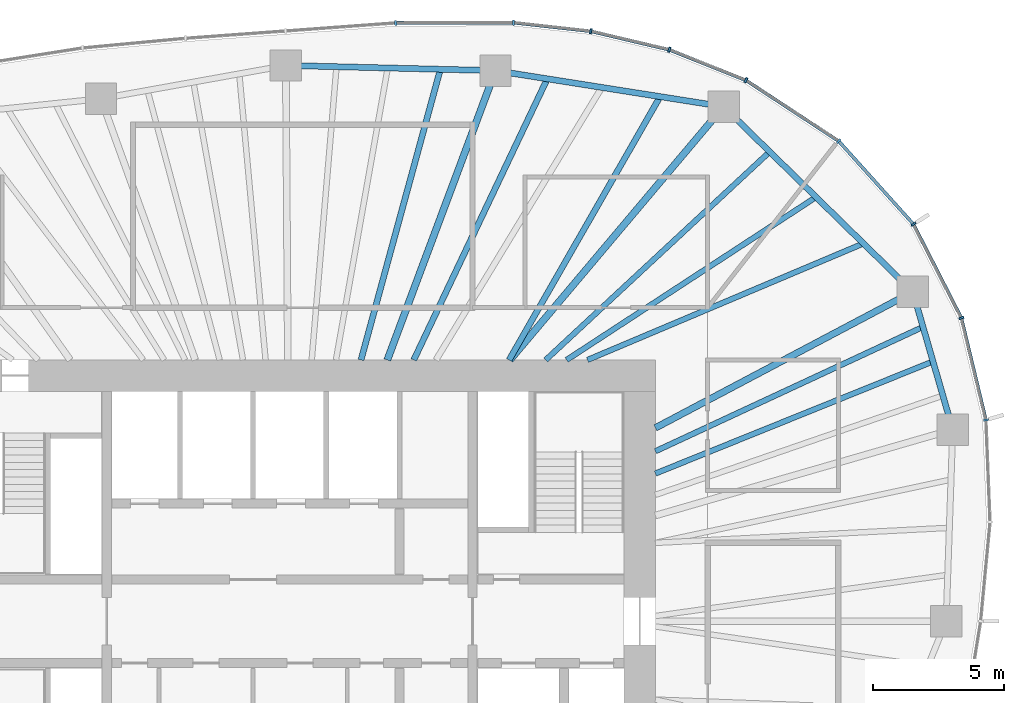
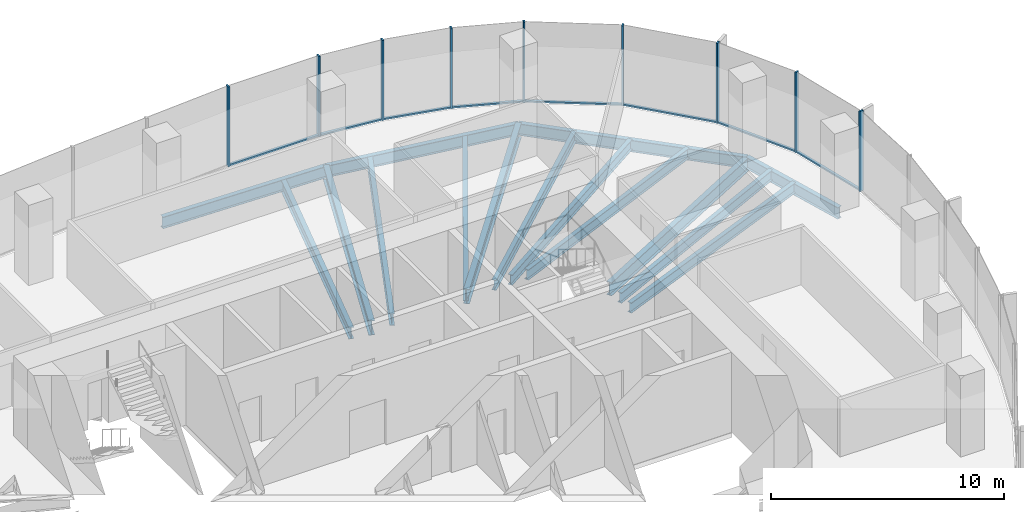
# One storey, part 6 of 11: 17 members, 15 beams, 4 elements without a shape of their own.
"""IFC4 building model written with IfcOpenShell, lengths in metres."""

from ifc_helpers import new_model, si_unit, direction, frame, origin, origin_2d, place, context, subcontext, project, spatial, rectangle, i_section, extrude, material, material_profile, profile_set, type_object, element, aggregate, save


model = new_model("IFC4")

# Units and contexts
model_context = context("Model", 3, precision=1e-05, world=origin(), true_north=direction((0.0, 1.0)))
body_context = subcontext(model_context, "Body", "Model", "MODEL_VIEW")
ifc_project = project(units=[si_unit("LENGTHUNIT", "METRE"), si_unit("AREAUNIT", "SQUARE_METRE"), si_unit("VOLUMEUNIT", "CUBIC_METRE"), si_unit("PLANEANGLEUNIT", "RADIAN"), si_unit("MASSUNIT", "GRAM", prefix="KILO")], contexts=[model_context])

# Site, building, storey
site_placement = place(None, origin())
site = spatial("IfcSite", under=ifc_project, at=site_placement, CompositionType="ELEMENT")
building_placement = place(site_placement, origin())
building = spatial("IfcBuilding", under=site, at=building_placement, Name="Ghaith Harvest Tower", CompositionType="ELEMENT")
storey_placement = place(building_placement, frame((0.0, 0.0, 257.800048828125)))
storey = spatial("IfcBuildingStorey", under=building, at=storey_placement, Name="L57", CompositionType="ELEMENT", Elevation=257.800048828125)

# Curtain wall, members
ifc_material_1 = material(Name="Black anodised aluminium and fritted glass", Category="aluminium")
curtain_wall_type = type_object("IfcCurtainWallType", Name="CW-H CURTAIN WALL", PredefinedType="NOTDEFINED", material=ifc_material_1)
curtain_wall_1_placement = place(storey_placement, origin())
curtain_wall_1 = element("IfcCurtainWall", 1, at=curtain_wall_1_placement, inside=storey, type_object=curtain_wall_type, Name="Curtain wall CW-H bay 02 L57", PredefinedType="NOTDEFINED")
ifc_material_2 = material(Name="Aluminium, black anodised", Category="aluminium")
ifc_material_profile_1 = material_profile(ifc_material_2, rectangle(XDim=0.080078125, YDim=0.199951171875, at=origin_2d()), Name="CW-H MULLION 80x200")
ifc_profile_set_1 = profile_set([ifc_material_profile_1], Name="Aluminium, black anodised")
member_type_1 = type_object("IfcMemberType", Name="CW-H MULLION 80x200", PredefinedType="MULLION", material=ifc_profile_set_1)
member_1_placement = place(storey_placement, frame((26.646484375, 7.701416015625, 0.0), z_axis=(0.0, 0.0, 1.0), x_axis=(-0.139146256981, 0.990271841046, 0.0)))
member_1 = element("IfcMember", 2, at=member_1_placement, type_object=member_type_1, Name="CW-H mullion 1 bay 02 L57", PredefinedType="MULLION", context=body_context, shape_type="SweptSolid", body=[
    extrude(rectangle(XDim=0.080078125, YDim=0.199951171875, at=origin_2d()), origin(), (0.0, 0.0, 1.0), 4.199951171875),
])
member_2_placement = place(storey_placement, frame((25.707275390625, 11.60546875, 0.0), z_axis=(0.0, 0.0, 1.0), x_axis=(-0.347012123561, 0.93786064322, 0.0)))
member_2 = element("IfcMember", 3, at=member_2_placement, type_object=member_type_1, Name="CW-H mullion 2 bay 02 L57", PredefinedType="MULLION", context=body_context, shape_type="SweptSolid", body=[
    extrude(rectangle(XDim=0.080078125, YDim=0.199951171875, at=origin_2d()), origin(), (0.0, 0.0, 1.0), 4.199951171875),
])

curtain_wall_2_placement = place(storey_placement, origin())
curtain_wall_2 = element("IfcCurtainWall", 4, at=curtain_wall_2_placement, inside=storey, type_object=curtain_wall_type, Name="Curtain wall CW-H bay 03 L57", PredefinedType="NOTDEFINED")
member_3_placement = place(storey_placement, frame((23.874267578125, 15.19384765625, 0.0), z_axis=(0.0, 0.0, 1.0), x_axis=(-0.569847382909, 0.821750546207, 0.0)))
member_3 = element("IfcMember", 5, at=member_3_placement, type_object=member_type_1, Name="CW-H mullion 1 bay 03 L57", PredefinedType="MULLION", context=body_context, shape_type="SweptSolid", body=[
    extrude(rectangle(XDim=0.080078125, YDim=0.199951171875, at=origin_2d()), origin(), (0.0, 0.0, 1.0), 4.199951171875),
])
member_4_placement = place(storey_placement, frame((21.013427734375, 18.374267578125, 0.0), z_axis=(0.0, 0.0, 1.0), x_axis=(-0.758541332755, 0.651624927778, 0.0)))
member_4 = element("IfcMember", 6, at=member_4_placement, type_object=member_type_1, Name="CW-H mullion 2 bay 03 L57", PredefinedType="MULLION", context=body_context, shape_type="SweptSolid", body=[
    extrude(rectangle(XDim=0.080078125, YDim=0.199951171875, at=origin_2d()), origin(), (0.0, 0.0, 1.0), 4.199951171875),
])

curtain_wall_3_placement = place(storey_placement, origin())
curtain_wall_3 = element("IfcCurtainWall", 7, at=curtain_wall_3_placement, inside=storey, type_object=curtain_wall_type, Name="Curtain wall CW-H bay 04 L57", PredefinedType="NOTDEFINED")
member_5_placement = place(storey_placement, frame((17.45947265625, 20.704345703125, 0.0), z_axis=(0.0, 0.0, 1.0), x_axis=(-0.880203412003, 0.474596621878, 0.0)))
member_5 = element("IfcMember", 8, at=member_5_placement, type_object=member_type_1, Name="CW-H mullion 1 bay 04 L57", PredefinedType="MULLION", context=body_context, shape_type="SweptSolid", body=[
    extrude(rectangle(XDim=0.080078125, YDim=0.199951171875, at=origin_2d()), origin(), (0.0, 0.0, 1.0), 4.199951171875),
])
member_6_placement = place(storey_placement, frame((14.52734375, 21.871337890625, 0.0), z_axis=(0.0, 0.0, 1.0), x_axis=(-0.953502908871, 0.30138381306, 0.0)))
member_6 = element("IfcMember", 9, at=member_6_placement, type_object=member_type_1, Name="CW-H mullion 2 bay 04 L57", PredefinedType="MULLION", context=body_context, shape_type="SweptSolid", body=[
    extrude(rectangle(XDim=0.080078125, YDim=0.199951171875, at=origin_2d()), origin(), (0.0, 0.0, 1.0), 4.199951171875),
])
member_7_placement = place(storey_placement, frame((11.527099609375, 22.579345703125, 0.0), z_axis=(0.0, 0.0, 1.0), x_axis=(-0.985193373388, 0.171446834417, 0.0)))
member_7 = element("IfcMember", 10, at=member_7_placement, type_object=member_type_1, Name="CW-H mullion 3 bay 04 L57", PredefinedType="MULLION", context=body_context, shape_type="SweptSolid", body=[
    extrude(rectangle(XDim=0.080078125, YDim=0.199951171875, at=origin_2d()), origin(), (0.0, 0.0, 1.0), 4.199951171875),
])

curtain_wall_4_placement = place(storey_placement, origin())
curtain_wall_4 = element("IfcCurtainWall", 11, at=curtain_wall_4_placement, inside=storey, type_object=curtain_wall_type, Name="Curtain wall CW-H bay 05 L57", PredefinedType="NOTDEFINED")
member_8_placement = place(storey_placement, frame((8.564208984375, 22.9091796875, 0.0), z_axis=(0.0, 0.0, 1.0), x_axis=(-0.999083519493, 0.042803283493, 0.0)))
member_8 = element("IfcMember", 12, at=member_8_placement, type_object=member_type_1, Name="CW-H mullion 1 bay 05 L57", PredefinedType="MULLION", context=body_context, shape_type="SweptSolid", body=[
    extrude(rectangle(XDim=0.080078125, YDim=0.199951171875, at=origin_2d()), origin(), (0.0, 0.0, 1.0), 4.199951171875),
])
member_9_placement = place(storey_placement, frame((4.0595703125, 22.8994140625, 0.0), z_axis=(0.0, 0.0, 1.0), x_axis=(-0.999332779724, -0.036523901335, 0.0)))
member_9 = element("IfcMember", 13, at=member_9_placement, type_object=member_type_1, Name="CW-H mullion 2 bay 05 L57", PredefinedType="MULLION", context=body_context, shape_type="SweptSolid", body=[
    extrude(rectangle(XDim=0.080078125, YDim=0.199951171875, at=origin_2d()), origin(), (0.0, 0.0, 1.0), 4.199951171875),
])

# Member
ifc_material_3 = material(Name="Aluminium, black anodised", Category="aluminium")
ifc_material_profile_2 = material_profile(ifc_material_3, rectangle(XDim=0.1298828125, YDim=0.080078125, at=origin_2d()), Name="CW-H TRANSOM 130x80")
ifc_profile_set_2 = profile_set([ifc_material_profile_2], Name="Aluminium, black anodised")
member_type_2 = type_object("IfcMemberType", Name="CW-H TRANSOM 130x80", PredefinedType="USERDEFINED", material=ifc_profile_set_2)
member_10_placement = place(storey_placement, frame((26.636962890625, 7.740234375, 0.0400390625), z_axis=(-0.233870324689, 0.972267798104, 0.0), x_axis=(-0.972267798104, -0.233870324689, 0.0)))
member_10 = element("IfcMember", 14, at=member_10_placement, type_object=member_type_2, Name="CW-H transom 1 bay 02 L57", ObjectType="TRANSOM", PredefinedType="USERDEFINED", context=body_context, shape_type="SweptSolid", body=[
    extrude(rectangle(XDim=0.1298828125, YDim=0.080078125, at=origin_2d()), origin(), (0.0, 0.0, 1.0), 3.935546875),
])

member_11_placement = place(storey_placement, frame((25.68896484375, 11.64111328125, 0.0400390625), z_axis=(-0.454911728312, 0.890536534592, 0.0), x_axis=(-0.890536534592, -0.454911728312, 0.0)))
member_11 = element("IfcMember", 15, at=member_11_placement, type_object=member_type_2, Name="CW-H transom 2 bay 02 L57", ObjectType="TRANSOM", PredefinedType="USERDEFINED", context=body_context, shape_type="SweptSolid", body=[
    extrude(rectangle(XDim=0.1298828125, YDim=0.080078125, at=origin_2d()), origin(), (0.0, 0.0, 1.0), 3.949462890625),
])

aggregate(curtain_wall_1, [member_1, member_10, member_2, member_11])

member_12_placement = place(storey_placement, frame((23.847412109375, 15.223388671875, 0.0400390625), z_axis=(-0.668752638518, 0.743484975286, 0.0), x_axis=(-0.743484975286, -0.668752638518, 0.0)))
member_12 = element("IfcMember", 16, at=member_12_placement, type_object=member_type_2, Name="CW-H transom 1 bay 03 L57", ObjectType="TRANSOM", PredefinedType="USERDEFINED", context=body_context, shape_type="SweptSolid", body=[
    extrude(rectangle(XDim=0.1298828125, YDim=0.080078125, at=origin_2d()), origin(), (0.0, 0.0, 1.0), 4.197998046875),
])

member_13_placement = place(storey_placement, frame((20.97998046875, 18.39599609375, 0.0400390625), z_axis=(-0.836268574396, 0.548320044753, 0.0), x_axis=(-0.548320044753, -0.836268574396, 0.0)))
member_13 = element("IfcMember", 17, at=member_13_placement, type_object=member_type_2, Name="CW-H transom 2 bay 03 L57", ObjectType="TRANSOM", PredefinedType="USERDEFINED", context=body_context, shape_type="SweptSolid", body=[
    extrude(rectangle(XDim=0.1298828125, YDim=0.080078125, at=origin_2d()), origin(), (0.0, 0.0, 1.0), 4.169677734375),
])

aggregate(curtain_wall_2, [member_3, member_12, member_4, member_13])

member_14_placement = place(storey_placement, frame((17.42236328125, 20.71923828125, 0.0400390625), z_axis=(-0.929115751434, 0.369789021521, 0.0), x_axis=(-0.369789021521, -0.929115751434, 0.0)))
member_14 = element("IfcMember", 18, at=member_14_placement, type_object=member_type_2, Name="CW-H transom 1 bay 04 L57", ObjectType="TRANSOM", PredefinedType="USERDEFINED", context=body_context, shape_type="SweptSolid", body=[
    extrude(rectangle(XDim=0.1298828125, YDim=0.080078125, at=origin_2d()), origin(), (0.0, 0.0, 1.0), 3.075927734375),
])

member_15_placement = place(storey_placement, frame((14.48828125, 21.880615234375, 0.0400390625), z_axis=(-0.97325803677, 0.229714592186, 0.0), x_axis=(-0.229714592186, -0.97325803677, 0.0)))
member_15 = element("IfcMember", 19, at=member_15_placement, type_object=member_type_2, Name="CW-H transom 2 bay 04 L57", ObjectType="TRANSOM", PredefinedType="USERDEFINED", context=body_context, shape_type="SweptSolid", body=[
    extrude(rectangle(XDim=0.1298828125, YDim=0.080078125, at=origin_2d()), origin(), (0.0, 0.0, 1.0), 3.00244140625),
])

member_16_placement = place(storey_placement, frame((11.4873046875, 22.583984375, 0.0400390625), z_axis=(-0.993867303252, 0.110579308762, 0.0), x_axis=(-0.110579308762, -0.993867303252, 0.0)))
member_16 = element("IfcMember", 20, at=member_16_placement, type_object=member_type_2, Name="CW-H transom 3 bay 04 L57", ObjectType="TRANSOM", PredefinedType="USERDEFINED", context=body_context, shape_type="SweptSolid", body=[
    extrude(rectangle(XDim=0.1298828125, YDim=0.080078125, at=origin_2d()), origin(), (0.0, 0.0, 1.0), 2.901123046875),
])

aggregate(curtain_wall_3, [member_5, member_14, member_6, member_15, member_7, member_16])

member_17_placement = place(storey_placement, frame((8.524169921875, 22.9091796875, 0.0400390625), z_axis=(-0.999997564275, -0.002207134722, 0.0), x_axis=(0.002207134722, -0.999997564275, 0.0)))
member_17 = element("IfcMember", 21, at=member_17_placement, type_object=member_type_2, Name="CW-H transom 1 bay 05 L57", ObjectType="TRANSOM", PredefinedType="USERDEFINED", context=body_context, shape_type="SweptSolid", body=[
    extrude(rectangle(XDim=0.1298828125, YDim=0.080078125, at=origin_2d()), origin(), (0.0, 0.0, 1.0), 4.424560546875),
])

aggregate(curtain_wall_4, [member_8, member_17, member_9])

# Beams
ifc_material_4 = material(Name="Steel ASTM A992 Grade 50", Category="steel")
ifc_material_profile_3 = material_profile(ifc_material_4, i_section(OverallWidth=0.22900390625, OverallDepth=0.612060546875, WebThickness=0.011962890625, FlangeThickness=0.01953125, at=origin_2d()), Name="W610X125")
ifc_profile_set_3 = profile_set([ifc_material_profile_3], Name="Steel ASTM A992 Grade 50")
beam_type_1 = type_object("IfcBeamType", Name="E610-125 W610X125", PredefinedType="SPANDREL", material=ifc_profile_set_3)
beam_1_placement = place(storey_placement, frame((25.3779296875, 7.3349609375, -0.47607421875), z_axis=(-0.278021352648, 0.960574894254, 0.0), x_axis=(-0.960574894254, -0.278021352648, 0.0)))
element("IfcBeam", 22, at=beam_1_placement, inside=storey, type_object=beam_type_1, Name="Edge beam E02 L57", PredefinedType="SPANDREL", context=body_context, shape_type="SweptSolid", body=[
    extrude(i_section(OverallWidth=0.22900390625, OverallDepth=0.612060546875, WebThickness=0.011962890625, FlangeThickness=0.01953125, at=origin_2d()), origin(), (0.0, 0.0, 1.0), 5.48828125),
])
beam_2_placement = place(storey_placement, frame((23.85205078125, 12.60693359375, -0.47607421875), z_axis=(-0.714761249388, 0.699368541166, 0.0), x_axis=(-0.699368541166, -0.714761249388, 0.0)))
element("IfcBeam", 23, at=beam_2_placement, inside=storey, type_object=beam_type_1, Name="Edge beam E03 L57", PredefinedType="SPANDREL", context=body_context, shape_type="SweptSolid", body=[
    extrude(i_section(OverallWidth=0.22900390625, OverallDepth=0.612060546875, WebThickness=0.011962890625, FlangeThickness=0.01953125, at=origin_2d()), origin(), (0.0, 0.0, 1.0), 10.135009765625),
])
beam_3_placement = place(storey_placement, frame((16.60791015625, 19.695068359375, -0.47607421875), z_axis=(-0.987788485872, 0.155800857439, 0.0), x_axis=(-0.155800857439, -0.987788485872, 0.0)))
element("IfcBeam", 24, at=beam_3_placement, inside=storey, type_object=beam_type_1, Name="Edge beam E04 L57", PredefinedType="SPANDREL", context=body_context, shape_type="SweptSolid", body=[
    extrude(i_section(OverallWidth=0.22900390625, OverallDepth=0.612060546875, WebThickness=0.011962890625, FlangeThickness=0.01953125, at=origin_2d()), origin(), (0.0, 0.0, 1.0), 8.837890625),
])
beam_4_placement = place(storey_placement, frame((7.8779296875, 21.072021484375, -0.47607421875), z_axis=(-0.999692679676, 0.024790042413, 0.0), x_axis=(-0.024790042413, -0.999692679676, 0.0)))
element("IfcBeam", 25, at=beam_4_placement, inside=storey, type_object=beam_type_1, Name="Edge beam E05 L57", PredefinedType="SPANDREL", context=body_context, shape_type="SweptSolid", body=[
    extrude(i_section(OverallWidth=0.22900390625, OverallDepth=0.612060546875, WebThickness=0.011962890625, FlangeThickness=0.01953125, at=origin_2d()), origin(), (0.0, 0.0, 1.0), 8.0263671875),
])
ifc_material_5 = material(Name="Steel ASTM A992 Grade 50", Category="steel")
ifc_material_profile_4 = material_profile(ifc_material_5, i_section(OverallWidth=0.256103515625, OverallDepth=0.693115234375, WebThickness=0.014404296875, FlangeThickness=0.023681640625, at=origin_2d()), Name="W690X170")
ifc_profile_set_4 = profile_set([ifc_material_profile_4], Name="Steel ASTM A992 Grade 50")
beam_type_2 = type_object("IfcBeamType", Name="G690-170 W690X170", PredefinedType="BEAM", material=ifc_profile_set_4)
beam_5_placement = place(storey_placement, frame((14.0, 7.39990234375, -0.5166015625), z_axis=(0.884112784119, 0.467273565438, 0.0), x_axis=(-0.467273565438, 0.884112784119, 0.0)))
element("IfcBeam", 26, at=beam_5_placement, inside=storey, type_object=beam_type_2, Name="Radial girder G03 L57", PredefinedType="BEAM", context=body_context, shape_type="SweptSolid", body=[
    extrude(i_section(OverallWidth=0.256103515625, OverallDepth=0.693115234375, WebThickness=0.014404296875, FlangeThickness=0.023681640625, at=origin_2d()), origin(), (0.0, 0.0, 1.0), 11.143310546875),
])
ifc_material_6 = material(Name="Steel ASTM A992 Grade 50", Category="steel")
ifc_material_profile_5 = material_profile(ifc_material_6, i_section(OverallWidth=0.26806640625, OverallDepth=0.77001953125, WebThickness=0.015625, FlangeThickness=0.025390625, at=origin_2d()), Name="W760X196")
ifc_profile_set_5 = profile_set([ifc_material_profile_5], Name="Steel ASTM A992 Grade 50")
beam_type_3 = type_object("IfcBeamType", Name="G760-196 W760X196", PredefinedType="BEAM", material=ifc_profile_set_5)
beam_6_placement = place(storey_placement, frame((8.4326171875, 10.0, -0.554931640625), z_axis=(0.644644245772, 0.764482698557, 0.0), x_axis=(-0.764482698557, 0.644644245772, 0.0)))
element("IfcBeam", 27, at=beam_6_placement, inside=storey, type_object=beam_type_3, Name="Radial girder G04 L57", PredefinedType="BEAM", context=body_context, shape_type="SweptSolid", body=[
    extrude(i_section(OverallWidth=0.26806640625, OverallDepth=0.77001953125, WebThickness=0.015625, FlangeThickness=0.025390625, at=origin_2d()), origin(), (0.0, 0.0, 1.0), 12.681884765625),
])
beam_7_placement = place(storey_placement, frame((3.73828125, 10.0, -0.554931640625), z_axis=(0.350206582147, 0.936672488024, 0.0), x_axis=(-0.936672488024, 0.350206582147, 0.0)))
element("IfcBeam", 28, at=beam_7_placement, inside=storey, type_object=beam_type_3, Name="Radial girder G05 L57", PredefinedType="BEAM", context=body_context, shape_type="SweptSolid", body=[
    extrude(i_section(OverallWidth=0.26806640625, OverallDepth=0.77001953125, WebThickness=0.015625, FlangeThickness=0.025390625, at=origin_2d()), origin(), (0.0, 0.0, 1.0), 11.820556640625),
])
ifc_material_7 = material(Name="Steel ASTM A992 Grade 50", Category="steel")
ifc_material_profile_6 = material_profile(ifc_material_7, i_section(OverallWidth=0.2109375, OverallDepth=0.5390625, WebThickness=0.01171875, FlangeThickness=0.018798828125, at=origin_2d()), Name="W530X109")
ifc_profile_set_6 = profile_set([ifc_material_profile_6], Name="Steel ASTM A992 Grade 50")
beam_type_4 = type_object("IfcBeamType", Name="J530-109 W530X109", PredefinedType="JOIST", material=ifc_profile_set_6)
beam_8_placement = place(storey_placement, frame((14.0, 5.653564453125, -0.439453125), z_axis=(0.927250374508, 0.37444190868, 0.0), x_axis=(-0.37444190868, 0.927250374508, 0.0)))
element("IfcBeam", 29, at=beam_8_placement, inside=storey, type_object=beam_type_4, Name="Joist J02.2 L57", PredefinedType="JOIST", context=body_context, shape_type="SweptSolid", body=[
    extrude(i_section(OverallWidth=0.2109375, OverallDepth=0.5390625, WebThickness=0.01171875, FlangeThickness=0.018798828125, at=origin_2d()), origin(), (0.0, 0.0, 1.0), 11.45654296875),
])
beam_9_placement = place(storey_placement, frame((14.0, 6.506103515625, -0.439453125), z_axis=(0.906864105655, 0.421423176718, 0.0), x_axis=(-0.421423176718, 0.906864105655, 0.0)))
element("IfcBeam", 30, at=beam_9_placement, inside=storey, type_object=beam_type_4, Name="Joist J02.3 L57", PredefinedType="JOIST", context=body_context, shape_type="SweptSolid", body=[
    extrude(i_section(OverallWidth=0.2109375, OverallDepth=0.5390625, WebThickness=0.01171875, FlangeThickness=0.018798828125, at=origin_2d()), origin(), (0.0, 0.0, 1.0), 11.292236328125),
])
beam_10_placement = place(storey_placement, frame((11.39990234375, 10.0, -0.439453125), z_axis=(0.92127415213, 0.388913790727, 0.0), x_axis=(-0.388913790727, 0.92127415213, 0.0)))
element("IfcBeam", 31, at=beam_10_placement, inside=storey, type_object=beam_type_4, Name="Joist J03.1 L57", PredefinedType="JOIST", context=body_context, shape_type="SweptSolid", body=[
    extrude(i_section(OverallWidth=0.2109375, OverallDepth=0.5390625, WebThickness=0.01171875, FlangeThickness=0.018798828125, at=origin_2d()), origin(), (0.0, 0.0, 1.0), 11.462646484375),
])
beam_11_placement = place(storey_placement, frame((10.60009765625, 10.0, -0.439453125), z_axis=(0.837329320942, 0.546698827775, 0.0), x_axis=(-0.546698827775, 0.837329320942, 0.0)))
element("IfcBeam", 32, at=beam_11_placement, inside=storey, type_object=beam_type_4, Name="Joist J03.2 L57", PredefinedType="JOIST", context=body_context, shape_type="SweptSolid", body=[
    extrude(i_section(OverallWidth=0.2109375, OverallDepth=0.5390625, WebThickness=0.01171875, FlangeThickness=0.018798828125, at=origin_2d()), origin(), (0.0, 0.0, 1.0), 11.40087890625),
])
beam_12_placement = place(storey_placement, frame((9.800048828125, 10.0, -0.439453125), z_axis=(0.732519288302, 0.680746275984, 0.0), x_axis=(-0.680746275984, 0.732519288302, 0.0)))
element("IfcBeam", 33, at=beam_12_placement, inside=storey, type_object=beam_type_4, Name="Joist J03.3 L57", PredefinedType="JOIST", context=body_context, shape_type="SweptSolid", body=[
    extrude(i_section(OverallWidth=0.2109375, OverallDepth=0.5390625, WebThickness=0.01171875, FlangeThickness=0.018798828125, at=origin_2d()), origin(), (0.0, 0.0, 1.0), 11.7041015625),
])
ifc_material_8 = material(Name="Steel ASTM A992 Grade 50", Category="steel")
ifc_material_profile_7 = material_profile(ifc_material_8, i_section(OverallWidth=0.22900390625, OverallDepth=0.612060546875, WebThickness=0.011962890625, FlangeThickness=0.01953125, at=origin_2d()), Name="W610X125")
ifc_profile_set_7 = profile_set([ifc_material_profile_7], Name="Steel ASTM A992 Grade 50")
beam_type_5 = type_object("IfcBeamType", Name="J610-125 W610X125", PredefinedType="JOIST", material=ifc_profile_set_7)
beam_13_placement = place(storey_placement, frame((8.39990234375, 10.0, -0.47607421875), z_axis=(0.497444212127, 0.867495968764, 0.0), x_axis=(-0.867495968764, 0.497444212127, 0.0)))
element("IfcBeam", 34, at=beam_13_placement, inside=storey, type_object=beam_type_5, Name="Joist J04.1 L57", PredefinedType="JOIST", context=body_context, shape_type="SweptSolid", body=[
    extrude(i_section(OverallWidth=0.22900390625, OverallDepth=0.612060546875, WebThickness=0.011962890625, FlangeThickness=0.01953125, at=origin_2d()), origin(), (0.0, 0.0, 1.0), 11.617431640625),
])
beam_14_placement = place(storey_placement, frame((4.75, 10.0, -0.47607421875), z_axis=(0.429069356877, 0.903271546651, 0.0), x_axis=(-0.903271546651, 0.429069356877, 0.0)))
element("IfcBeam", 35, at=beam_14_placement, inside=storey, type_object=beam_type_5, Name="Joist J04.3 L57", PredefinedType="JOIST", context=body_context, shape_type="SweptSolid", body=[
    extrude(i_section(OverallWidth=0.22900390625, OverallDepth=0.612060546875, WebThickness=0.011962890625, FlangeThickness=0.01953125, at=origin_2d()), origin(), (0.0, 0.0, 1.0), 11.911376953125),
])
beam_15_placement = place(storey_placement, frame((2.73095703125, 10.0, -0.47607421875), z_axis=(0.263455967932, 0.964671422279, 0.0), x_axis=(-0.964671422279, 0.263455967932, 0.0)))
element("IfcBeam", 36, at=beam_15_placement, inside=storey, type_object=beam_type_5, Name="Joist J05.1 L57", PredefinedType="JOIST", context=body_context, shape_type="SweptSolid", body=[
    extrude(i_section(OverallWidth=0.22900390625, OverallDepth=0.612060546875, WebThickness=0.011962890625, FlangeThickness=0.01953125, at=origin_2d()), origin(), (0.0, 0.0, 1.0), 11.53173828125),
])

save(model, "model.ifc")
